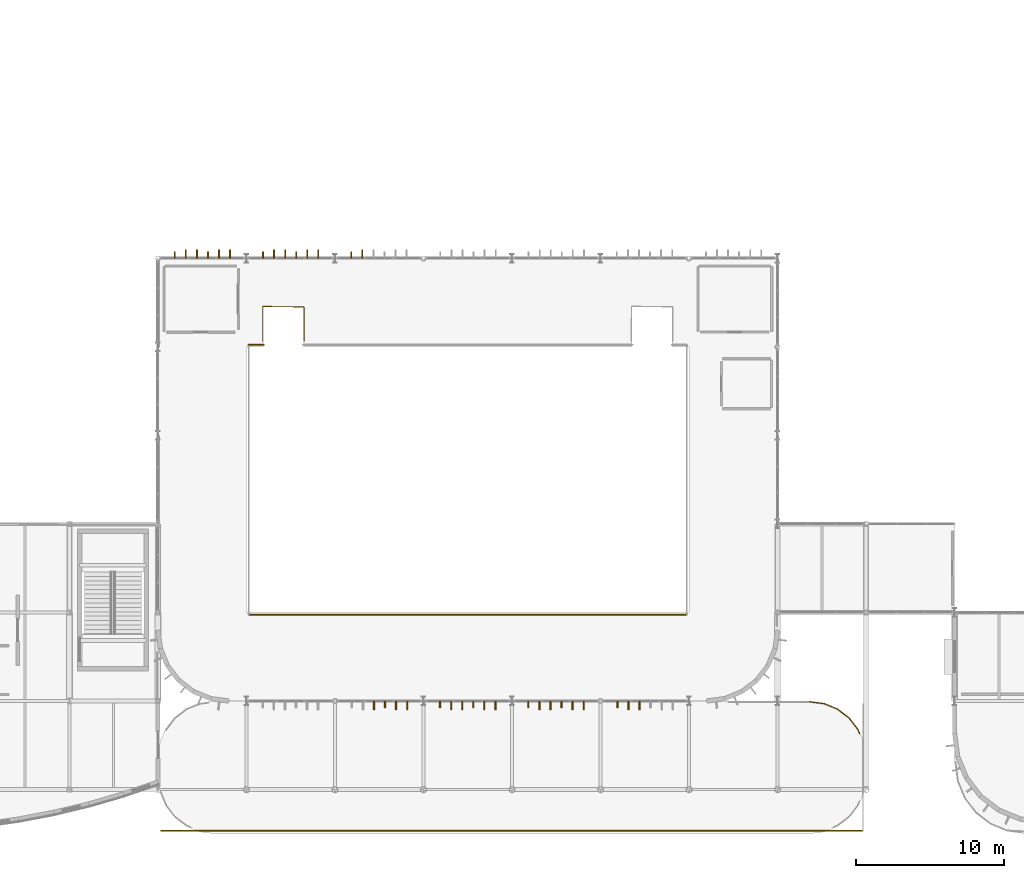
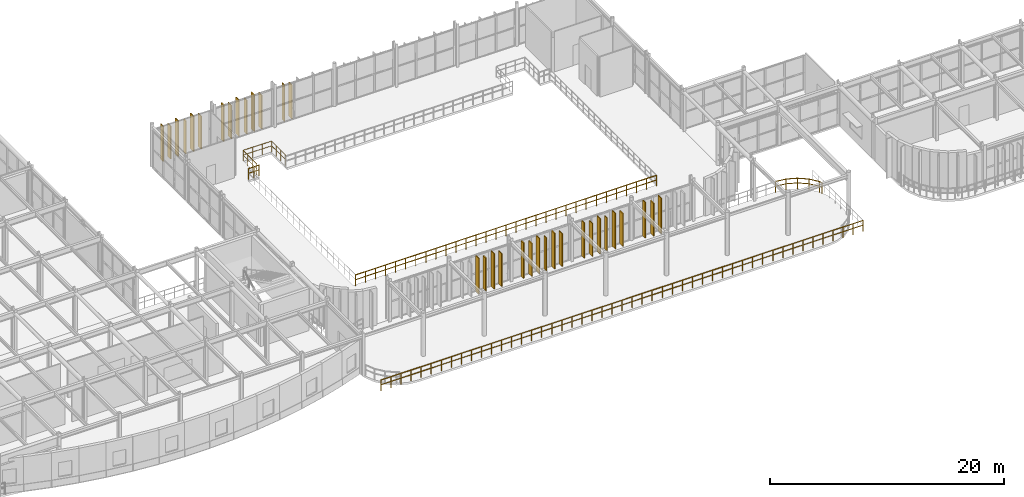
# One storey, part 83 of 96: 33 coverings, 5 railings.
"""IFC4 building model written with IfcOpenShell, lengths in metres."""

from ifc_helpers import new_model, si_unit, direction, frame, origin, origin_2d, place, context, subcontext, project, spatial, rectangle, circle, extrude, material, layer, layer_set, type_object, element, save


model = new_model("IFC4")

# Units and contexts
model_context = context("Model", 3, precision=1e-05, world=origin(), true_north=direction((0.0, 1.0)))
body_context = subcontext(model_context, "Body", "Model", "MODEL_VIEW")
ifc_project = project(units=[si_unit("LENGTHUNIT", "METRE"), si_unit("AREAUNIT", "SQUARE_METRE"), si_unit("VOLUMEUNIT", "CUBIC_METRE"), si_unit("PLANEANGLEUNIT", "RADIAN"), si_unit("MASSUNIT", "GRAM", prefix="KILO")], contexts=[model_context])

# Site, building, storey
site_placement = place(None, origin())
site = spatial("IfcSite", under=ifc_project, at=site_placement, CompositionType="ELEMENT")
building_placement = place(site_placement, origin())
building = spatial("IfcBuilding", under=site, at=building_placement, Name="Varnakota Square Police Headquarters", CompositionType="ELEMENT")
storey_placement = place(building_placement, frame((0.0, 0.0, 4.800048828125)))
storey = spatial("IfcBuildingStorey", under=building, at=storey_placement, Name="L01", CompositionType="ELEMENT", Elevation=4.800048828125)

# Coverings
ifc_material_1 = material(Name="White Anodised Aluminium Vertical Facade Blade 420", Category="aluminium")
ifc_layer_1 = layer(ifc_material_1, 0.0849609375, Name="White Anodised Aluminium Vertical Facade Blade 420")
ifc_layer_set_1 = layer_set([ifc_layer_1], Name="White Anodised Aluminium Vertical Facade Blade 420")
covering_type_1 = type_object("IfcCoveringType", Name="COV-FIN-420", PredefinedType="CLADDING", material=ifc_layer_set_1)
covering_1_placement = place(storey_placement, frame((69.3935546875, 8.762451171875, 0.0400390625), z_axis=(0.0, 0.0, 1.0), x_axis=(1.0, 0.0, 0.0)))
element("IfcCovering", 1, at=covering_1_placement, inside=storey, type_object=covering_type_1, Name="Vertical aluminium facade fin FIN-0064", PredefinedType="CLADDING", context=body_context, shape_type="SweptSolid", body=[
    extrude(rectangle(XDim=0.0849609375, YDim=0.419921875, at=origin_2d()), origin(), (0.0, 0.0, 1.0), 3.429931640625),
])
covering_2_placement = place(storey_placement, frame((73.125, 8.762451171875, 0.0400390625), z_axis=(0.0, 0.0, 1.0), x_axis=(1.0, 0.0, 0.0)))
element("IfcCovering", 2, at=covering_2_placement, inside=storey, type_object=covering_type_1, Name="Vertical aluminium facade fin FIN-0067", PredefinedType="CLADDING", context=body_context, shape_type="SweptSolid", body=[
    extrude(rectangle(XDim=0.0849609375, YDim=0.419921875, at=origin_2d()), origin(), (0.0, 0.0, 1.0), 3.7099609375),
])
covering_3_placement = place(storey_placement, frame((75.375, 8.762451171875, 0.0400390625), z_axis=(0.0, 0.0, 1.0), x_axis=(1.0, 0.0, 0.0)))
element("IfcCovering", 3, at=covering_3_placement, inside=storey, type_object=covering_type_1, Name="Vertical aluminium facade fin FIN-0070", PredefinedType="CLADDING", context=body_context, shape_type="SweptSolid", body=[
    extrude(rectangle(XDim=0.0849609375, YDim=0.419921875, at=origin_2d()), origin(), (0.0, 0.0, 1.0), 3.429931640625),
])
covering_4_placement = place(storey_placement, frame((79.1064453125, 8.762451171875, 0.0400390625), z_axis=(0.0, 0.0, 1.0), x_axis=(1.0, 0.0, 0.0)))
element("IfcCovering", 4, at=covering_4_placement, inside=storey, type_object=covering_type_1, Name="Vertical aluminium facade fin FIN-0073", PredefinedType="CLADDING", context=body_context, shape_type="SweptSolid", body=[
    extrude(rectangle(XDim=0.0849609375, YDim=0.419921875, at=origin_2d()), origin(), (0.0, 0.0, 1.0), 3.7099609375),
])
covering_5_placement = place(storey_placement, frame((81.3564453125, 8.762451171875, 0.0400390625), z_axis=(0.0, 0.0, 1.0), x_axis=(1.0, 0.0, 0.0)))
element("IfcCovering", 5, at=covering_5_placement, inside=storey, type_object=covering_type_1, Name="Vertical aluminium facade fin FIN-0076", PredefinedType="CLADDING", context=body_context, shape_type="SweptSolid", body=[
    extrude(rectangle(XDim=0.0849609375, YDim=0.419921875, at=origin_2d()), origin(), (0.0, 0.0, 1.0), 3.429931640625),
])
for number, where, z_axis, x_axis, name in (
    (6, (85.1435546875, 8.762451171875, 0.0400390625), (0.0, 0.0, 1.0), (1.0, 0.0, 0.0), "Vertical aluminium facade fin FIN-0079"),
    (7, (55.1435546875, 39.237548828125, 0.0400390625), (0.0, 0.0, 1.0), (1.0, 0.0, 0.0), "Vertical aluminium facade fin FIN-0085"),
):
    element("IfcCovering", number, at=place(storey_placement, frame(where, z_axis=z_axis, x_axis=x_axis)), inside=storey, type_object=covering_type_1, Name=name, PredefinedType="CLADDING", context=body_context, shape_type="SweptSolid", body=[
        extrude(rectangle(XDim=0.0849609375, YDim=0.419921875, at=origin_2d()), origin(), (0.0, 0.0, 1.0), 3.7099609375),
    ])
covering_6_placement = place(storey_placement, frame((57.3935546875, 39.237548828125, 0.0400390625), z_axis=(0.0, 0.0, 1.0), x_axis=(1.0, 0.0, 0.0)))
element("IfcCovering", 8, at=covering_6_placement, inside=storey, type_object=covering_type_1, Name="Vertical aluminium facade fin FIN-0088", PredefinedType="CLADDING", context=body_context, shape_type="SweptSolid", body=[
    extrude(rectangle(XDim=0.0849609375, YDim=0.419921875, at=origin_2d()), origin(), (0.0, 0.0, 1.0), 3.429931640625),
])
covering_7_placement = place(storey_placement, frame((61.125, 39.237548828125, 0.0400390625), z_axis=(0.0, 0.0, 1.0), x_axis=(1.0, 0.0, 0.0)))
element("IfcCovering", 9, at=covering_7_placement, inside=storey, type_object=covering_type_1, Name="Vertical aluminium facade fin FIN-0091", PredefinedType="CLADDING", context=body_context, shape_type="SweptSolid", body=[
    extrude(rectangle(XDim=0.0849609375, YDim=0.419921875, at=origin_2d()), origin(), (0.0, 0.0, 1.0), 3.81005859375),
])
covering_8_placement = place(storey_placement, frame((63.375, 39.237548828125, 0.0400390625), z_axis=(0.0, 0.0, 1.0), x_axis=(1.0, 0.0, 0.0)))
element("IfcCovering", 10, at=covering_8_placement, inside=storey, type_object=covering_type_1, Name="Vertical aluminium facade fin FIN-0094", PredefinedType="CLADDING", context=body_context, shape_type="SweptSolid", body=[
    extrude(rectangle(XDim=0.0849609375, YDim=0.419921875, at=origin_2d()), origin(), (0.0, 0.0, 1.0), 3.530029296875),
])
covering_9_placement = place(storey_placement, frame((67.1064453125, 39.237548828125, 0.0400390625), z_axis=(0.0, 0.0, 1.0), x_axis=(1.0, 0.0, 0.0)))
element("IfcCovering", 11, at=covering_9_placement, inside=storey, type_object=covering_type_1, Name="Vertical aluminium facade fin FIN-0097", PredefinedType="CLADDING", context=body_context, shape_type="SweptSolid", body=[
    extrude(rectangle(XDim=0.0849609375, YDim=0.419921875, at=origin_2d()), origin(), (0.0, 0.0, 1.0), 3.81005859375),
])
ifc_material_2 = material(Name="White Anodised Aluminium Vertical Facade Blade 550", Category="aluminium")
ifc_layer_2 = layer(ifc_material_2, 0.0849609375, Name="White Anodised Aluminium Vertical Facade Blade 550")
ifc_layer_set_2 = layer_set([ifc_layer_2], Name="White Anodised Aluminium Vertical Facade Blade 550")
covering_type_2 = type_object("IfcCoveringType", Name="COV-FIN-550", PredefinedType="CLADDING", material=ifc_layer_set_2)
for number, where, z_axis, x_axis, name in (
    (12, (68.6435546875, 8.697509765625, 0.0400390625), (0.0, 0.0, 1.0), (1.0, 0.0, 0.0), "Vertical aluminium facade fin FIN-0063"),
    (13, (70.1435546875, 8.697509765625, 0.0400390625), (0.0, 0.0, 1.0), (1.0, 0.0, 0.0), "Vertical aluminium facade fin FIN-0065"),
):
    element("IfcCovering", number, at=place(storey_placement, frame(where, z_axis=z_axis, x_axis=x_axis)), inside=storey, type_object=covering_type_2, Name=name, PredefinedType="CLADDING", context=body_context, shape_type="SweptSolid", body=[
        extrude(rectangle(XDim=0.0849609375, YDim=0.550048828125, at=origin_2d()), origin(), (0.0, 0.0, 1.0), 3.7099609375),
    ])
for number, where, z_axis, x_axis, name in (
    (14, (70.8935546875, 8.697509765625, 0.0400390625), (0.0, 0.0, 1.0), (1.0, 0.0, 0.0), "Vertical aluminium facade fin FIN-0066"),
    (15, (73.875, 8.697509765625, 0.0400390625), (0.0, 0.0, 1.0), (1.0, 0.0, 0.0), "Vertical aluminium facade fin FIN-0068"),
):
    element("IfcCovering", number, at=place(storey_placement, frame(where, z_axis=z_axis, x_axis=x_axis)), inside=storey, type_object=covering_type_2, Name=name, PredefinedType="CLADDING", context=body_context, shape_type="SweptSolid", body=[
        extrude(rectangle(XDim=0.0849609375, YDim=0.550048828125, at=origin_2d()), origin(), (0.0, 0.0, 1.0), 3.429931640625),
    ])
for number, where, z_axis, x_axis, name in (
    (16, (74.625, 8.697509765625, 0.0400390625), (0.0, 0.0, 1.0), (1.0, 0.0, 0.0), "Vertical aluminium facade fin FIN-0069"),
    (17, (76.125, 8.697509765625, 0.0400390625), (0.0, 0.0, 1.0), (1.0, 0.0, 0.0), "Vertical aluminium facade fin FIN-0071"),
):
    element("IfcCovering", number, at=place(storey_placement, frame(where, z_axis=z_axis, x_axis=x_axis)), inside=storey, type_object=covering_type_2, Name=name, PredefinedType="CLADDING", context=body_context, shape_type="SweptSolid", body=[
        extrude(rectangle(XDim=0.0849609375, YDim=0.550048828125, at=origin_2d()), origin(), (0.0, 0.0, 1.0), 3.7099609375),
    ])
for number, where, z_axis, x_axis, name in (
    (18, (76.875, 8.697509765625, 0.0400390625), (0.0, 0.0, 1.0), (1.0, 0.0, 0.0), "Vertical aluminium facade fin FIN-0072"),
    (19, (79.8564453125, 8.697509765625, 0.0400390625), (0.0, 0.0, 1.0), (1.0, 0.0, 0.0), "Vertical aluminium facade fin FIN-0074"),
):
    element("IfcCovering", number, at=place(storey_placement, frame(where, z_axis=z_axis, x_axis=x_axis)), inside=storey, type_object=covering_type_2, Name=name, PredefinedType="CLADDING", context=body_context, shape_type="SweptSolid", body=[
        extrude(rectangle(XDim=0.0849609375, YDim=0.550048828125, at=origin_2d()), origin(), (0.0, 0.0, 1.0), 3.429931640625),
    ])
for number, where, z_axis, x_axis, name in (
    (20, (80.6064453125, 8.697509765625, 0.0400390625), (0.0, 0.0, 1.0), (1.0, 0.0, 0.0), "Vertical aluminium facade fin FIN-0075"),
    (21, (82.1064453125, 8.697509765625, 0.0400390625), (0.0, 0.0, 1.0), (1.0, 0.0, 0.0), "Vertical aluminium facade fin FIN-0077"),
):
    element("IfcCovering", number, at=place(storey_placement, frame(where, z_axis=z_axis, x_axis=x_axis)), inside=storey, type_object=covering_type_2, Name=name, PredefinedType="CLADDING", context=body_context, shape_type="SweptSolid", body=[
        extrude(rectangle(XDim=0.0849609375, YDim=0.550048828125, at=origin_2d()), origin(), (0.0, 0.0, 1.0), 3.7099609375),
    ])
for number, where, z_axis, x_axis, name in (
    (22, (82.8564453125, 8.697509765625, 0.0400390625), (0.0, 0.0, 1.0), (1.0, 0.0, 0.0), "Vertical aluminium facade fin FIN-0078"),
    (23, (85.8935546875, 8.697509765625, 0.0400390625), (0.0, 0.0, 1.0), (1.0, 0.0, 0.0), "Vertical aluminium facade fin FIN-0080"),
):
    element("IfcCovering", number, at=place(storey_placement, frame(where, z_axis=z_axis, x_axis=x_axis)), inside=storey, type_object=covering_type_2, Name=name, PredefinedType="CLADDING", context=body_context, shape_type="SweptSolid", body=[
        extrude(rectangle(XDim=0.0849609375, YDim=0.550048828125, at=origin_2d()), origin(), (0.0, 0.0, 1.0), 3.429931640625),
    ])
covering_10_placement = place(storey_placement, frame((86.6435546875, 8.697509765625, 0.0400390625), z_axis=(0.0, 0.0, 1.0), x_axis=(1.0, 0.0, 0.0)))
element("IfcCovering", 24, at=covering_10_placement, inside=storey, type_object=covering_type_2, Name="Vertical aluminium facade fin FIN-0081", PredefinedType="CLADDING", context=body_context, shape_type="SweptSolid", body=[
    extrude(rectangle(XDim=0.0849609375, YDim=0.550048828125, at=origin_2d()), origin(), (0.0, 0.0, 1.0), 3.7099609375),
])
covering_11_placement = place(storey_placement, frame((55.8935546875, 39.302490234375, 0.0400390625), z_axis=(0.0, 0.0, 1.0), x_axis=(1.0, 0.0, 0.0)))
element("IfcCovering", 25, at=covering_11_placement, inside=storey, type_object=covering_type_2, Name="Vertical aluminium facade fin FIN-0086", PredefinedType="CLADDING", context=body_context, shape_type="SweptSolid", body=[
    extrude(rectangle(XDim=0.0849609375, YDim=0.550048828125, at=origin_2d()), origin(), (0.0, 0.0, 1.0), 3.429931640625),
])
for number, where, z_axis, x_axis, name in (
    (26, (56.6435546875, 39.302490234375, 0.0400390625), (0.0, 0.0, 1.0), (1.0, 0.0, 0.0), "Vertical aluminium facade fin FIN-0087"),
    (27, (58.1435546875, 39.302490234375, 0.0400390625), (0.0, 0.0, 1.0), (1.0, 0.0, 0.0), "Vertical aluminium facade fin FIN-0089"),
):
    element("IfcCovering", number, at=place(storey_placement, frame(where, z_axis=z_axis, x_axis=x_axis)), inside=storey, type_object=covering_type_2, Name=name, PredefinedType="CLADDING", context=body_context, shape_type="SweptSolid", body=[
        extrude(rectangle(XDim=0.0849609375, YDim=0.550048828125, at=origin_2d()), origin(), (0.0, 0.0, 1.0), 3.7099609375),
    ])
covering_12_placement = place(storey_placement, frame((58.8935546875, 39.302490234375, 0.0400390625), z_axis=(0.0, 0.0, 1.0), x_axis=(1.0, 0.0, 0.0)))
element("IfcCovering", 28, at=covering_12_placement, inside=storey, type_object=covering_type_2, Name="Vertical aluminium facade fin FIN-0090", PredefinedType="CLADDING", context=body_context, shape_type="SweptSolid", body=[
    extrude(rectangle(XDim=0.0849609375, YDim=0.550048828125, at=origin_2d()), origin(), (0.0, 0.0, 1.0), 3.429931640625),
])
covering_13_placement = place(storey_placement, frame((61.875, 39.302490234375, 0.0400390625), z_axis=(0.0, 0.0, 1.0), x_axis=(1.0, 0.0, 0.0)))
element("IfcCovering", 29, at=covering_13_placement, inside=storey, type_object=covering_type_2, Name="Vertical aluminium facade fin FIN-0092", PredefinedType="CLADDING", context=body_context, shape_type="SweptSolid", body=[
    extrude(rectangle(XDim=0.0849609375, YDim=0.550048828125, at=origin_2d()), origin(), (0.0, 0.0, 1.0), 3.530029296875),
])
for number, where, z_axis, x_axis, name in (
    (30, (62.625, 39.302490234375, 0.0400390625), (0.0, 0.0, 1.0), (1.0, 0.0, 0.0), "Vertical aluminium facade fin FIN-0093"),
    (31, (64.125, 39.302490234375, 0.0400390625), (0.0, 0.0, 1.0), (1.0, 0.0, 0.0), "Vertical aluminium facade fin FIN-0095"),
):
    element("IfcCovering", number, at=place(storey_placement, frame(where, z_axis=z_axis, x_axis=x_axis)), inside=storey, type_object=covering_type_2, Name=name, PredefinedType="CLADDING", context=body_context, shape_type="SweptSolid", body=[
        extrude(rectangle(XDim=0.0849609375, YDim=0.550048828125, at=origin_2d()), origin(), (0.0, 0.0, 1.0), 3.81005859375),
    ])
for number, where, z_axis, x_axis, name in (
    (32, (64.875, 39.302490234375, 0.0400390625), (0.0, 0.0, 1.0), (1.0, 0.0, 0.0), "Vertical aluminium facade fin FIN-0096"),
    (33, (67.8564453125, 39.302490234375, 0.0400390625), (0.0, 0.0, 1.0), (1.0, 0.0, 0.0), "Vertical aluminium facade fin FIN-0098"),
):
    element("IfcCovering", number, at=place(storey_placement, frame(where, z_axis=z_axis, x_axis=x_axis)), inside=storey, type_object=covering_type_2, Name=name, PredefinedType="CLADDING", context=body_context, shape_type="SweptSolid", body=[
        extrude(rectangle(XDim=0.0849609375, YDim=0.550048828125, at=origin_2d()), origin(), (0.0, 0.0, 1.0), 3.530029296875),
    ])

# Railings
ifc_material_3 = material(Name="Galvanised Powder-Coated Steel Guardrail", Category="steel")
railing_type_1 = type_object("IfcRailingType", Name="RL-BAL-1150", PredefinedType="BALUSTRADE", material=ifc_material_3)
railing_1_placement = place(storey_placement, frame((54.199951171875, 0.199951171875, 0.0)))
element("IfcRailing", 34, at=railing_1_placement, inside=storey, type_object=railing_type_1, Name="Terrace safety balustrade GD-L01-001", PredefinedType="BALUSTRADE", context=body_context, shape_type="SweptSolid", body=[
    extrude(circle(Radius=0.02392578125, at=origin_2d()), frame((0.0, 0.0, 1.1259765625), z_axis=(1.0, 0.0, 0.0), x_axis=(0.0, 1.0, 0.0)), (0.0, 0.0, 1.0), 47.60009765625),
    extrude(circle(Radius=0.01806640625, at=origin_2d()), frame((0.0, 0.0, 0.63232421875), z_axis=(1.0, 0.0, 0.0), x_axis=(0.0, 1.0, 0.0)), (0.0, 0.0, 1.0), 47.60009765625),
    extrude(circle(Radius=0.02099609375, at=origin_2d()), origin(), (0.0, 0.0, 1.0), 1.101806640625),
    extrude(circle(Radius=0.02099609375, at=origin_2d()), frame((0.99169921875, 0.0, 0.0)), (0.0, 0.0, 1.0), 1.101806640625),
    extrude(circle(Radius=0.02099609375, at=origin_2d()), frame((1.9833984375, 0.0, 0.0)), (0.0, 0.0, 1.0), 1.101806640625),
    extrude(circle(Radius=0.02099609375, at=origin_2d()), frame((2.97509765625, 0.0, 0.0)), (0.0, 0.0, 1.0), 1.101806640625),
    extrude(circle(Radius=0.02099609375, at=origin_2d()), frame((3.966796875, 0.0, 0.0)), (0.0, 0.0, 1.0), 1.101806640625),
    extrude(circle(Radius=0.02099609375, at=origin_2d()), frame((4.958251953125, 0.0, 0.0)), (0.0, 0.0, 1.0), 1.101806640625),
    extrude(circle(Radius=0.02099609375, at=origin_2d()), frame((5.949951171875, 0.0, 0.0)), (0.0, 0.0, 1.0), 1.101806640625),
    extrude(circle(Radius=0.02099609375, at=origin_2d()), frame((6.941650390625, 0.0, 0.0)), (0.0, 0.0, 1.0), 1.101806640625),
    extrude(circle(Radius=0.02099609375, at=origin_2d()), frame((7.933349609375, 0.0, 0.0)), (0.0, 0.0, 1.0), 1.101806640625),
    extrude(circle(Radius=0.02099609375, at=origin_2d()), frame((8.925048828125, 0.0, 0.0)), (0.0, 0.0, 1.0), 1.101806640625),
    extrude(circle(Radius=0.02099609375, at=origin_2d()), frame((9.916748046875, 0.0, 0.0)), (0.0, 0.0, 1.0), 1.101806640625),
    extrude(circle(Radius=0.02099609375, at=origin_2d()), frame((10.908447265625, 0.0, 0.0)), (0.0, 0.0, 1.0), 1.101806640625),
    extrude(circle(Radius=0.02099609375, at=origin_2d()), frame((11.89990234375, 0.0, 0.0)), (0.0, 0.0, 1.0), 1.101806640625),
    extrude(circle(Radius=0.02099609375, at=origin_2d()), frame((12.8916015625, 0.0, 0.0)), (0.0, 0.0, 1.0), 1.101806640625),
    extrude(circle(Radius=0.02099609375, at=origin_2d()), frame((13.88330078125, 0.0, 0.0)), (0.0, 0.0, 1.0), 1.101806640625),
    extrude(circle(Radius=0.02099609375, at=origin_2d()), frame((14.875, 0.0, 0.0)), (0.0, 0.0, 1.0), 1.101806640625),
    extrude(circle(Radius=0.02099609375, at=origin_2d()), frame((15.86669921875, 0.0, 0.0)), (0.0, 0.0, 1.0), 1.101806640625),
    extrude(circle(Radius=0.02099609375, at=origin_2d()), frame((16.8583984375, 0.0, 0.0)), (0.0, 0.0, 1.0), 1.101806640625),
    extrude(circle(Radius=0.02099609375, at=origin_2d()), frame((17.85009765625, 0.0, 0.0)), (0.0, 0.0, 1.0), 1.101806640625),
    extrude(circle(Radius=0.02099609375, at=origin_2d()), frame((18.841796875, 0.0, 0.0)), (0.0, 0.0, 1.0), 1.101806640625),
    extrude(circle(Radius=0.02099609375, at=origin_2d()), frame((19.83349609375, 0.0, 0.0)), (0.0, 0.0, 1.0), 1.101806640625),
    extrude(circle(Radius=0.02099609375, at=origin_2d()), frame((20.824951171875, 0.0, 0.0)), (0.0, 0.0, 1.0), 1.101806640625),
    extrude(circle(Radius=0.02099609375, at=origin_2d()), frame((21.816650390625, 0.0, 0.0)), (0.0, 0.0, 1.0), 1.101806640625),
    extrude(circle(Radius=0.02099609375, at=origin_2d()), frame((22.808349609375, 0.0, 0.0)), (0.0, 0.0, 1.0), 1.101806640625),
    extrude(circle(Radius=0.02099609375, at=origin_2d()), frame((23.800048828125, 0.0, 0.0)), (0.0, 0.0, 1.0), 1.101806640625),
    extrude(circle(Radius=0.02099609375, at=origin_2d()), frame((24.791748046875, 0.0, 0.0)), (0.0, 0.0, 1.0), 1.101806640625),
    extrude(circle(Radius=0.02099609375, at=origin_2d()), frame((25.783447265625, 0.0, 0.0)), (0.0, 0.0, 1.0), 1.101806640625),
    extrude(circle(Radius=0.02099609375, at=origin_2d()), frame((26.775146484375, 0.0, 0.0)), (0.0, 0.0, 1.0), 1.101806640625),
    extrude(circle(Radius=0.02099609375, at=origin_2d()), frame((27.7666015625, 0.0, 0.0)), (0.0, 0.0, 1.0), 1.101806640625),
    extrude(circle(Radius=0.02099609375, at=origin_2d()), frame((28.75830078125, 0.0, 0.0)), (0.0, 0.0, 1.0), 1.101806640625),
    extrude(circle(Radius=0.02099609375, at=origin_2d()), frame((29.75, 0.0, 0.0)), (0.0, 0.0, 1.0), 1.101806640625),
    extrude(circle(Radius=0.02099609375, at=origin_2d()), frame((30.74169921875, 0.0, 0.0)), (0.0, 0.0, 1.0), 1.101806640625),
    extrude(circle(Radius=0.02099609375, at=origin_2d()), frame((31.7333984375, 0.0, 0.0)), (0.0, 0.0, 1.0), 1.101806640625),
    extrude(circle(Radius=0.02099609375, at=origin_2d()), frame((32.72509765625, 0.0, 0.0)), (0.0, 0.0, 1.0), 1.101806640625),
    extrude(circle(Radius=0.02099609375, at=origin_2d()), frame((33.716796875, 0.0, 0.0)), (0.0, 0.0, 1.0), 1.101806640625),
    extrude(circle(Radius=0.02099609375, at=origin_2d()), frame((34.70849609375, 0.0, 0.0)), (0.0, 0.0, 1.0), 1.101806640625),
    extrude(circle(Radius=0.02099609375, at=origin_2d()), frame((35.7001953125, 0.0, 0.0)), (0.0, 0.0, 1.0), 1.101806640625),
    extrude(circle(Radius=0.02099609375, at=origin_2d()), frame((36.691650390625, 0.0, 0.0)), (0.0, 0.0, 1.0), 1.101806640625),
    extrude(circle(Radius=0.02099609375, at=origin_2d()), frame((37.683349609375, 0.0, 0.0)), (0.0, 0.0, 1.0), 1.101806640625),
    extrude(circle(Radius=0.02099609375, at=origin_2d()), frame((38.675048828125, 0.0, 0.0)), (0.0, 0.0, 1.0), 1.101806640625),
    extrude(circle(Radius=0.02099609375, at=origin_2d()), frame((39.666748046875, 0.0, 0.0)), (0.0, 0.0, 1.0), 1.101806640625),
    extrude(circle(Radius=0.02099609375, at=origin_2d()), frame((40.658447265625, 0.0, 0.0)), (0.0, 0.0, 1.0), 1.101806640625),
    extrude(circle(Radius=0.02099609375, at=origin_2d()), frame((41.650146484375, 0.0, 0.0)), (0.0, 0.0, 1.0), 1.101806640625),
    extrude(circle(Radius=0.02099609375, at=origin_2d()), frame((42.641845703125, 0.0, 0.0)), (0.0, 0.0, 1.0), 1.101806640625),
    extrude(circle(Radius=0.02099609375, at=origin_2d()), frame((43.63330078125, 0.0, 0.0)), (0.0, 0.0, 1.0), 1.101806640625),
    extrude(circle(Radius=0.02099609375, at=origin_2d()), frame((44.625, 0.0, 0.0)), (0.0, 0.0, 1.0), 1.101806640625),
    extrude(circle(Radius=0.02099609375, at=origin_2d()), frame((45.61669921875, 0.0, 0.0)), (0.0, 0.0, 1.0), 1.101806640625),
    extrude(circle(Radius=0.02099609375, at=origin_2d()), frame((46.6083984375, 0.0, 0.0)), (0.0, 0.0, 1.0), 1.101806640625),
    extrude(circle(Radius=0.02099609375, at=origin_2d()), frame((47.60009765625, 0.0, 0.0)), (0.0, 0.0, 1.0), 1.101806640625),
])
railing_2_placement = place(storey_placement, frame((98.19677734375, 8.949951171875, 0.0)))
element("IfcRailing", 35, at=railing_2_placement, inside=storey, type_object=railing_type_1, Name="Perimeter edge safety guard GD-AUTO-L01-032", PredefinedType="BALUSTRADE", context=body_context, shape_type="SweptSolid", body=[
    extrude(circle(Radius=0.02392578125, at=origin_2d()), frame((0.0, 0.0, 1.1259765625), z_axis=(0.991445831671, -0.130518821872, 0.0), x_axis=(0.130518821872, 0.991445831671, 0.0)), (0.0, 0.0, 1.0), 0.98193359375),
    extrude(circle(Radius=0.01806640625, at=origin_2d()), frame((0.0, 0.0, 0.63232421875), z_axis=(0.991445831671, -0.130518821872, 0.0), x_axis=(0.130518821872, 0.991445831671, 0.0)), (0.0, 0.0, 1.0), 0.98193359375),
    extrude(circle(Radius=0.02392578125, at=origin_2d()), frame((0.9736328125, -0.128173828125, 1.1259765625), z_axis=(0.923901316546, -0.38263083682, 0.0), x_axis=(0.38263083682, 0.923901316546, 0.0)), (0.0, 0.0, 1.0), 0.978759765625),
    extrude(circle(Radius=0.01806640625, at=origin_2d()), frame((0.9736328125, -0.128173828125, 0.63232421875), z_axis=(0.923901316546, -0.38263083682, 0.0), x_axis=(0.38263083682, 0.923901316546, 0.0)), (0.0, 0.0, 1.0), 0.978759765625),
    extrude(circle(Radius=0.02392578125, at=origin_2d()), frame((1.8779296875, -0.502685546875, 1.1259765625), z_axis=(0.793337338041, -0.60878228298, 0.0), x_axis=(0.60878228298, 0.793337338041, 0.0)), (0.0, 0.0, 1.0), 0.97900390625),
    extrude(circle(Radius=0.01806640625, at=origin_2d()), frame((1.8779296875, -0.502685546875, 0.63232421875), z_axis=(0.793337338041, -0.60878228298, 0.0), x_axis=(0.60878228298, 0.793337338041, 0.0)), (0.0, 0.0, 1.0), 0.97900390625),
    extrude(circle(Radius=0.02392578125, at=origin_2d()), frame((2.654541015625, -1.0986328125, 1.1259765625), z_axis=(0.60878228298, -0.793337338041, 0.0), x_axis=(0.793337338041, 0.60878228298, 0.0)), (0.0, 0.0, 1.0), 0.97900390625),
    extrude(circle(Radius=0.01806640625, at=origin_2d()), frame((2.654541015625, -1.0986328125, 0.63232421875), z_axis=(0.60878228298, -0.793337338041, 0.0), x_axis=(0.793337338041, 0.60878228298, 0.0)), (0.0, 0.0, 1.0), 0.97900390625),
    extrude(circle(Radius=0.02392578125, at=origin_2d()), frame((3.25048828125, -1.875244140625, 1.1259765625), z_axis=(0.382790839847, -0.923835035561, 0.0), x_axis=(0.923835035561, 0.382790839847, 0.0)), (0.0, 0.0, 1.0), 0.294677734375),
    extrude(circle(Radius=0.01806640625, at=origin_2d()), frame((3.25048828125, -1.875244140625, 0.63232421875), z_axis=(0.382790839847, -0.923835035561, 0.0), x_axis=(0.923835035561, 0.382790839847, 0.0)), (0.0, 0.0, 1.0), 0.294677734375),
    extrude(circle(Radius=0.02099609375, at=origin_2d()), origin(), (0.0, 0.0, 1.0), 1.101806640625),
    extrude(circle(Radius=0.02099609375, at=origin_2d()), frame((0.9736328125, -0.128173828125, 0.0)), (0.0, 0.0, 1.0), 1.101806640625),
    extrude(circle(Radius=0.02099609375, at=origin_2d()), frame((1.8779296875, -0.502685546875, 0.0)), (0.0, 0.0, 1.0), 1.101806640625),
    extrude(circle(Radius=0.02099609375, at=origin_2d()), frame((2.654541015625, -1.0986328125, 0.0)), (0.0, 0.0, 1.0), 1.101806640625),
    extrude(circle(Radius=0.02099609375, at=origin_2d()), frame((3.25048828125, -1.875244140625, 0.0)), (0.0, 0.0, 1.0), 1.101806640625),
    extrude(circle(Radius=0.02099609375, at=origin_2d()), frame((3.36328125, -2.1474609375, 0.0)), (0.0, 0.0, 1.0), 1.101806640625),
])
railing_3_placement = place(storey_placement, frame((63.905029296875, 33.389892578125, 0.0)))
element("IfcRailing", 36, at=railing_3_placement, inside=storey, type_object=railing_type_1, Name="Perimeter edge safety guard GD-AUTO-L01-043", PredefinedType="BALUSTRADE", context=body_context, shape_type="SweptSolid", body=[
    extrude(circle(Radius=0.02392578125, at=origin_2d()), frame((0.0, 0.0, 1.1259765625), z_axis=(0.0, 1.0, 0.0), x_axis=(-1.0, 0.0, 0.0)), (0.0, 0.0, 1.0), 2.315185546875),
    extrude(circle(Radius=0.01806640625, at=origin_2d()), frame((0.0, 0.0, 0.63232421875), z_axis=(0.0, 1.0, 0.0), x_axis=(-1.0, 0.0, 0.0)), (0.0, 0.0, 1.0), 2.315185546875),
    extrude(circle(Radius=0.02392578125, at=origin_2d()), frame((0.0, 2.315185546875, 1.1259765625), z_axis=(-0.999904555774, 0.013815909035, 0.0), x_axis=(-0.013815909035, -0.999904555774, 0.0)), (0.0, 0.0, 1.0), 2.7919921875),
    extrude(circle(Radius=0.01806640625, at=origin_2d()), frame((0.0, 2.315185546875, 0.63232421875), z_axis=(-0.999904555774, 0.013815909035, 0.0), x_axis=(-0.013815909035, -0.999904555774, 0.0)), (0.0, 0.0, 1.0), 2.7919921875),
    extrude(circle(Radius=0.02392578125, at=origin_2d()), frame((-2.791748046875, 2.353759765625, 1.1259765625), z_axis=(-0.00777904063, -0.999969742806, 0.0), x_axis=(0.999969742806, -0.00777904063, 0.0)), (0.0, 0.0, 1.0), 2.353759765625),
    extrude(circle(Radius=0.01806640625, at=origin_2d()), frame((-2.791748046875, 2.353759765625, 0.63232421875), z_axis=(-0.00777904063, -0.999969742806, 0.0), x_axis=(0.999969742806, -0.00777904063, 0.0)), (0.0, 0.0, 1.0), 2.353759765625),
    extrude(circle(Radius=0.02099609375, at=origin_2d()), origin(), (0.0, 0.0, 1.0), 1.101806640625),
    extrude(circle(Radius=0.02099609375, at=origin_2d()), frame((0.0, 0.771728515625, 0.0)), (0.0, 0.0, 1.0), 1.101806640625),
    extrude(circle(Radius=0.02099609375, at=origin_2d()), frame((0.0, 1.54345703125, 0.0)), (0.0, 0.0, 1.0), 1.101806640625),
    extrude(circle(Radius=0.02099609375, at=origin_2d()), frame((0.0, 2.315185546875, 0.0)), (0.0, 0.0, 1.0), 1.101806640625),
    extrude(circle(Radius=0.02099609375, at=origin_2d()), frame((-0.9306640625, 2.328125, 0.0)), (0.0, 0.0, 1.0), 1.101806640625),
    extrude(circle(Radius=0.02099609375, at=origin_2d()), frame((-1.861083984375, 2.3408203125, 0.0)), (0.0, 0.0, 1.0), 1.101806640625),
    extrude(circle(Radius=0.02099609375, at=origin_2d()), frame((-2.791748046875, 2.353759765625, 0.0)), (0.0, 0.0, 1.0), 1.101806640625),
    extrude(circle(Radius=0.02099609375, at=origin_2d()), frame((-2.7978515625, 1.569091796875, 0.0)), (0.0, 0.0, 1.0), 1.101806640625),
    extrude(circle(Radius=0.02099609375, at=origin_2d()), frame((-2.803955078125, 0.78466796875, 0.0)), (0.0, 0.0, 1.0), 1.101806640625),
    extrude(circle(Radius=0.02099609375, at=origin_2d()), frame((-2.81005859375, 0.0, 0.0)), (0.0, 0.0, 1.0), 1.101806640625),
])
ifc_material_4 = material(Name="Laminated Glass and Stainless Steel Balustrade", Category="steel")
railing_type_2 = type_object("IfcRailingType", Name="RL-INT-1150", PredefinedType="BALUSTRADE", material=ifc_material_4)
railing_4_placement = place(storey_placement, frame((60.14990234375, 14.85009765625, 0.0)))
element("IfcRailing", 37, at=railing_4_placement, inside=storey, type_object=railing_type_2, Name="Entrance hall gallery balustrade", PredefinedType="BALUSTRADE", context=body_context, shape_type="SweptSolid", body=[
    extrude(circle(Radius=0.02392578125, at=origin_2d()), frame((0.0, 0.0, 1.1259765625), z_axis=(1.0, 0.0, 0.0), x_axis=(0.0, 1.0, 0.0)), (0.0, 0.0, 1.0), 29.7001953125),
    extrude(circle(Radius=0.01806640625, at=origin_2d()), frame((0.0, 0.0, 0.63232421875), z_axis=(1.0, 0.0, 0.0), x_axis=(0.0, 1.0, 0.0)), (0.0, 0.0, 1.0), 29.7001953125),
    extrude(circle(Radius=0.02099609375, at=origin_2d()), origin(), (0.0, 0.0, 1.0), 1.101806640625),
    extrude(circle(Radius=0.02099609375, at=origin_2d()), frame((0.989990234375, 0.0, 0.0)), (0.0, 0.0, 1.0), 1.101806640625),
    extrude(circle(Radius=0.02099609375, at=origin_2d()), frame((1.97998046875, 0.0, 0.0)), (0.0, 0.0, 1.0), 1.101806640625),
    extrude(circle(Radius=0.02099609375, at=origin_2d()), frame((2.969970703125, 0.0, 0.0)), (0.0, 0.0, 1.0), 1.101806640625),
    extrude(circle(Radius=0.02099609375, at=origin_2d()), frame((3.9599609375, 0.0, 0.0)), (0.0, 0.0, 1.0), 1.101806640625),
    extrude(circle(Radius=0.02099609375, at=origin_2d()), frame((4.949951171875, 0.0, 0.0)), (0.0, 0.0, 1.0), 1.101806640625),
    extrude(circle(Radius=0.02099609375, at=origin_2d()), frame((5.93994140625, 0.0, 0.0)), (0.0, 0.0, 1.0), 1.101806640625),
    extrude(circle(Radius=0.02099609375, at=origin_2d()), frame((6.929931640625, 0.0, 0.0)), (0.0, 0.0, 1.0), 1.101806640625),
    extrude(circle(Radius=0.02099609375, at=origin_2d()), frame((7.920166015625, 0.0, 0.0)), (0.0, 0.0, 1.0), 1.101806640625),
    extrude(circle(Radius=0.02099609375, at=origin_2d()), frame((8.91015625, 0.0, 0.0)), (0.0, 0.0, 1.0), 1.101806640625),
    extrude(circle(Radius=0.02099609375, at=origin_2d()), frame((9.900146484375, 0.0, 0.0)), (0.0, 0.0, 1.0), 1.101806640625),
    extrude(circle(Radius=0.02099609375, at=origin_2d()), frame((10.89013671875, 0.0, 0.0)), (0.0, 0.0, 1.0), 1.101806640625),
    extrude(circle(Radius=0.02099609375, at=origin_2d()), frame((11.880126953125, 0.0, 0.0)), (0.0, 0.0, 1.0), 1.101806640625),
    extrude(circle(Radius=0.02099609375, at=origin_2d()), frame((12.8701171875, 0.0, 0.0)), (0.0, 0.0, 1.0), 1.101806640625),
    extrude(circle(Radius=0.02099609375, at=origin_2d()), frame((13.860107421875, 0.0, 0.0)), (0.0, 0.0, 1.0), 1.101806640625),
    extrude(circle(Radius=0.02099609375, at=origin_2d()), frame((14.85009765625, 0.0, 0.0)), (0.0, 0.0, 1.0), 1.101806640625),
    extrude(circle(Radius=0.02099609375, at=origin_2d()), frame((15.840087890625, 0.0, 0.0)), (0.0, 0.0, 1.0), 1.101806640625),
    extrude(circle(Radius=0.02099609375, at=origin_2d()), frame((16.830078125, 0.0, 0.0)), (0.0, 0.0, 1.0), 1.101806640625),
    extrude(circle(Radius=0.02099609375, at=origin_2d()), frame((17.820068359375, 0.0, 0.0)), (0.0, 0.0, 1.0), 1.101806640625),
    extrude(circle(Radius=0.02099609375, at=origin_2d()), frame((18.81005859375, 0.0, 0.0)), (0.0, 0.0, 1.0), 1.101806640625),
    extrude(circle(Radius=0.02099609375, at=origin_2d()), frame((19.800048828125, 0.0, 0.0)), (0.0, 0.0, 1.0), 1.101806640625),
    extrude(circle(Radius=0.02099609375, at=origin_2d()), frame((20.7900390625, 0.0, 0.0)), (0.0, 0.0, 1.0), 1.101806640625),
    extrude(circle(Radius=0.02099609375, at=origin_2d()), frame((21.780029296875, 0.0, 0.0)), (0.0, 0.0, 1.0), 1.101806640625),
    extrude(circle(Radius=0.02099609375, at=origin_2d()), frame((22.770263671875, 0.0, 0.0)), (0.0, 0.0, 1.0), 1.101806640625),
    extrude(circle(Radius=0.02099609375, at=origin_2d()), frame((23.76025390625, 0.0, 0.0)), (0.0, 0.0, 1.0), 1.101806640625),
    extrude(circle(Radius=0.02099609375, at=origin_2d()), frame((24.750244140625, 0.0, 0.0)), (0.0, 0.0, 1.0), 1.101806640625),
    extrude(circle(Radius=0.02099609375, at=origin_2d()), frame((25.740234375, 0.0, 0.0)), (0.0, 0.0, 1.0), 1.101806640625),
    extrude(circle(Radius=0.02099609375, at=origin_2d()), frame((26.730224609375, 0.0, 0.0)), (0.0, 0.0, 1.0), 1.101806640625),
    extrude(circle(Radius=0.02099609375, at=origin_2d()), frame((27.72021484375, 0.0, 0.0)), (0.0, 0.0, 1.0), 1.101806640625),
    extrude(circle(Radius=0.02099609375, at=origin_2d()), frame((28.710205078125, 0.0, 0.0)), (0.0, 0.0, 1.0), 1.101806640625),
    extrude(circle(Radius=0.02099609375, at=origin_2d()), frame((29.7001953125, 0.0, 0.0)), (0.0, 0.0, 1.0), 1.101806640625),
])
railing_5_placement = place(storey_placement, frame((61.199951171875, 33.14990234375, 0.0)))
element("IfcRailing", 38, at=railing_5_placement, inside=storey, type_object=railing_type_2, Name="Entrance hall gallery balustrade", PredefinedType="BALUSTRADE", context=body_context, shape_type="SweptSolid", body=[
    extrude(circle(Radius=0.02392578125, at=origin_2d()), frame((0.0, 0.0, 1.1259765625), z_axis=(-1.0, 0.0, 0.0), x_axis=(0.0, -1.0, 0.0)), (0.0, 0.0, 1.0), 1.050048828125),
    extrude(circle(Radius=0.01806640625, at=origin_2d()), frame((0.0, 0.0, 0.63232421875), z_axis=(-1.0, 0.0, 0.0), x_axis=(0.0, -1.0, 0.0)), (0.0, 0.0, 1.0), 1.050048828125),
    extrude(circle(Radius=0.02099609375, at=origin_2d()), origin(), (0.0, 0.0, 1.0), 1.101806640625),
    extrude(circle(Radius=0.02099609375, at=origin_2d()), frame((-0.52490234375, 0.0, 0.0)), (0.0, 0.0, 1.0), 1.101806640625),
    extrude(circle(Radius=0.02099609375, at=origin_2d()), frame((-1.050048828125, 0.0, 0.0)), (0.0, 0.0, 1.0), 1.101806640625),
])

save(model, "model.ifc")
